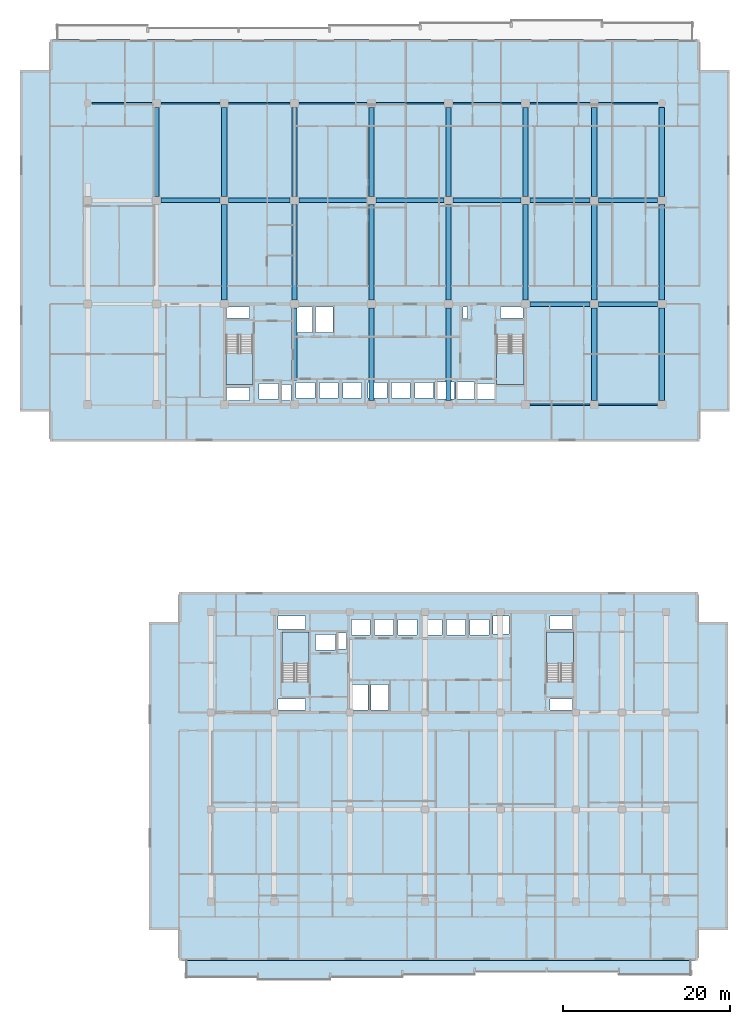
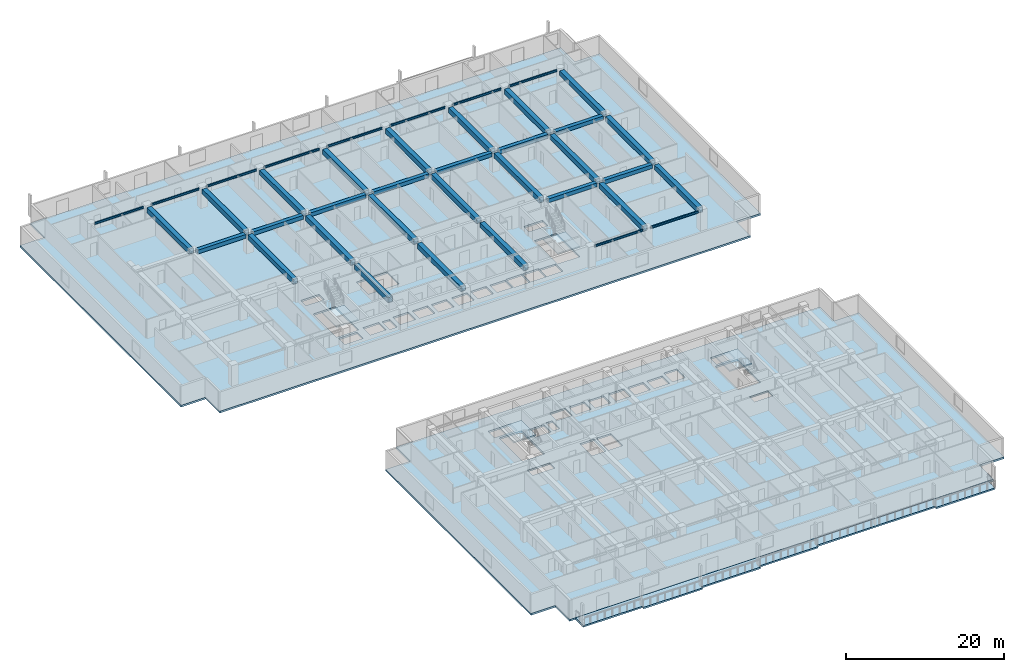
# One storey, part 2 of 23: 39 beams, 7 slabs, 4 elements without a shape of their own.
"""IFC4 building model written with IfcOpenShell, lengths in metres."""

from ifc_helpers import new_model, si_unit, direction, frame, origin, origin_2d, place, context, subcontext, project, spatial, polyline, rectangle, i_section, outline, extrude, material, layer, layer_set, material_profile, profile_set, type_object, element, aggregate, save


model = new_model("IFC4")

# Units and contexts
model_context = context("Model", 3, precision=1e-05, world=origin(), true_north=direction((0.0, 1.0)))
body_context = subcontext(model_context, "Body", "Model", "MODEL_VIEW")
ifc_project = project(units=[si_unit("LENGTHUNIT", "METRE"), si_unit("AREAUNIT", "SQUARE_METRE"), si_unit("VOLUMEUNIT", "CUBIC_METRE"), si_unit("PLANEANGLEUNIT", "RADIAN"), si_unit("MASSUNIT", "GRAM", prefix="KILO")], contexts=[model_context])

# Site, building, storey
site_placement = place(None, origin())
site = spatial("IfcSite", under=ifc_project, at=site_placement, CompositionType="ELEMENT")
building_placement = place(site_placement, origin())
building = spatial("IfcBuilding", under=site, at=building_placement, Name="Korimba Cascade Residences", CompositionType="ELEMENT")
storey_placement = place(building_placement, frame((0.0, 0.0, 37.0)))
storey = spatial("IfcBuildingStorey", under=building, at=storey_placement, Name="L09", CompositionType="ELEMENT", Elevation=37.0)

# Beams
ifc_material_1 = material(Name="Concrete C50/60", Category="concrete")
ifc_material_profile_1 = material_profile(ifc_material_1, rectangle(XDim=0.550048828125, YDim=0.60009765625, at=origin_2d()), Name="Concrete C50/60")
ifc_profile_set_1 = profile_set([ifc_material_profile_1], Name="Concrete C50/60")
beam_type_1 = type_object("IfcBeamType", Name="BM-RC-B600", PredefinedType="BEAM", material=ifc_profile_set_1)
beam_1_placement = place(storey_placement, frame((112.625, 67.199951171875, 2.669921875), z_axis=(1.0, 0.0, 0.0), x_axis=(0.0, 1.0, 0.0)))
element("IfcBeam", 1, at=beam_1_placement, inside=storey, type_object=beam_type_1, Name="L09 T1 E-W Girder Y2 Bay 7", PredefinedType="BEAM", context=body_context, shape_type="SweptSolid", body=[
    extrude(rectangle(XDim=0.550048828125, YDim=0.60009765625, at=origin_2d()), origin(), (0.0, 0.0, 1.0), 7.14990234375),
])
for number, where, z_axis, x_axis, name in (
    (2, (120.824951171875, 67.199951171875, 2.669921875), (1.0, 0.0, 0.0), (0.0, 1.0, 0.0), "L09 T1 E-W Girder Y2 Bay 8"),
    (3, (68.52490234375, 79.60009765625, 2.669921875), (1.0, 0.0, 0.0), (0.0, 1.0, 0.0), "L09 T1 E-W Girder Y3 Bay 2"),
):
    element("IfcBeam", number, at=place(storey_placement, frame(where, z_axis=z_axis, x_axis=x_axis)), inside=storey, type_object=beam_type_1, Name=name, PredefinedType="BEAM", context=body_context, shape_type="SweptSolid", body=[
        extrude(rectangle(XDim=0.550048828125, YDim=0.60009765625, at=origin_2d()), origin(), (0.0, 0.0, 1.0), 7.050048828125),
    ])
beam_2_placement = place(storey_placement, frame((76.625, 79.60009765625, 2.669921875), z_axis=(1.0, 0.0, 0.0), x_axis=(0.0, 1.0, 0.0)))
element("IfcBeam", 4, at=beam_2_placement, inside=storey, type_object=beam_type_1, Name="L09 T1 E-W Girder Y3 Bay 3", PredefinedType="BEAM", context=body_context, shape_type="SweptSolid", body=[
    extrude(rectangle(XDim=0.550048828125, YDim=0.60009765625, at=origin_2d()), origin(), (0.0, 0.0, 1.0), 7.35009765625),
])
beam_3_placement = place(storey_placement, frame((85.02490234375, 79.60009765625, 2.669921875), z_axis=(1.0, 0.0, 0.0), x_axis=(0.0, 1.0, 0.0)))
element("IfcBeam", 5, at=beam_3_placement, inside=storey, type_object=beam_type_1, Name="L09 T1 E-W Girder Y3 Bay 4", PredefinedType="BEAM", context=body_context, shape_type="SweptSolid", body=[
    extrude(rectangle(XDim=0.550048828125, YDim=0.60009765625, at=origin_2d()), origin(), (0.0, 0.0, 1.0), 8.150146484375),
])
for number, where, z_axis, x_axis, name in (
    (6, (94.22509765625, 79.60009765625, 2.669921875), (1.0, 0.0, 0.0), (0.0, 1.0, 0.0), "L09 T1 E-W Girder Y3 Bay 5"),
    (7, (103.425048828125, 79.60009765625, 2.669921875), (1.0, 0.0, 0.0), (0.0, 1.0, 0.0), "L09 T1 E-W Girder Y3 Bay 6"),
):
    element("IfcBeam", number, at=place(storey_placement, frame(where, z_axis=z_axis, x_axis=x_axis)), inside=storey, type_object=beam_type_1, Name=name, PredefinedType="BEAM", context=body_context, shape_type="SweptSolid", body=[
        extrude(rectangle(XDim=0.550048828125, YDim=0.60009765625, at=origin_2d()), origin(), (0.0, 0.0, 1.0), 8.14990234375),
    ])
beam_4_placement = place(storey_placement, frame((112.625, 79.60009765625, 2.669921875), z_axis=(1.0, 0.0, 0.0), x_axis=(0.0, 1.0, 0.0)))
element("IfcBeam", 8, at=beam_4_placement, inside=storey, type_object=beam_type_1, Name="L09 T1 E-W Girder Y3 Bay 7", PredefinedType="BEAM", context=body_context, shape_type="SweptSolid", body=[
    extrude(rectangle(XDim=0.550048828125, YDim=0.60009765625, at=origin_2d()), origin(), (0.0, 0.0, 1.0), 7.14990234375),
])
beam_5_placement = place(storey_placement, frame((120.824951171875, 79.60009765625, 2.669921875), z_axis=(1.0, 0.0, 0.0), x_axis=(0.0, 1.0, 0.0)))
element("IfcBeam", 9, at=beam_5_placement, inside=storey, type_object=beam_type_1, Name="L09 T1 E-W Girder Y3 Bay 8", PredefinedType="BEAM", context=body_context, shape_type="SweptSolid", body=[
    extrude(rectangle(XDim=0.550048828125, YDim=0.60009765625, at=origin_2d()), origin(), (0.0, 0.0, 1.0), 7.050048828125),
])
ifc_material_profile_2 = material_profile(ifc_material_1, rectangle(XDim=0.64990234375, YDim=0.75, at=origin_2d()), Name="Concrete C50/60")
ifc_profile_set_2 = profile_set([ifc_material_profile_2], Name="Concrete C50/60")
beam_type_2 = type_object("IfcBeamType", Name="BM-RC-G750", PredefinedType="BEAM", material=ifc_profile_set_2)
beam_6_placement = place(storey_placement, frame((68.0, 80.074951171875, 2.594970703125), z_axis=(0.0, 1.0, 0.0), x_axis=(-1.0, 0.0, 0.0)))
element("IfcBeam", 10, at=beam_6_placement, inside=storey, type_object=beam_type_2, Name="L09 T1 N-S Girder X2 Seg 3", PredefinedType="BEAM", context=body_context, shape_type="SweptSolid", body=[
    extrude(rectangle(XDim=0.64990234375, YDim=0.75, at=origin_2d()), origin(), (0.0, 0.0, 1.0), 10.650146484375),
])
beam_7_placement = place(storey_placement, frame((76.10009765625, 67.675048828125, 2.594970703125), z_axis=(0.0, 1.0, 0.0), x_axis=(-1.0, 0.0, 0.0)))
element("IfcBeam", 11, at=beam_7_placement, inside=storey, type_object=beam_type_2, Name="L09 T1 N-S Girder X3 Seg 2", PredefinedType="BEAM", context=body_context, shape_type="SweptSolid", body=[
    extrude(rectangle(XDim=0.64990234375, YDim=0.75, at=origin_2d()), origin(), (0.0, 0.0, 1.0), 11.449951171875),
])
beam_8_placement = place(storey_placement, frame((76.10009765625, 80.074951171875, 2.594970703125), z_axis=(0.0, 1.0, 0.0), x_axis=(-1.0, 0.0, 0.0)))
element("IfcBeam", 12, at=beam_8_placement, inside=storey, type_object=beam_type_2, Name="L09 T1 N-S Girder X3 Seg 3", PredefinedType="BEAM", context=body_context, shape_type="SweptSolid", body=[
    extrude(rectangle(XDim=0.64990234375, YDim=0.75, at=origin_2d()), origin(), (0.0, 0.0, 1.0), 10.650146484375),
])
beam_9_placement = place(storey_placement, frame((84.5, 58.159912109375, 2.594970703125), z_axis=(0.0, 1.0, 0.0), x_axis=(-1.0, 0.0, 0.0)))
element("IfcBeam", 13, at=beam_9_placement, inside=storey, type_object=beam_type_2, Name="L09 T1 N-S Girder X4 Seg 1", PredefinedType="BEAM", context=body_context, shape_type="SweptSolid", body=[
    extrude(rectangle(XDim=0.64990234375, YDim=0.75, at=origin_2d()), origin(), (0.0, 0.0, 1.0), 8.565185546875),
])
beam_10_placement = place(storey_placement, frame((84.5, 67.675048828125, 2.594970703125), z_axis=(0.0, 1.0, 0.0), x_axis=(-1.0, 0.0, 0.0)))
element("IfcBeam", 14, at=beam_10_placement, inside=storey, type_object=beam_type_2, Name="L09 T1 N-S Girder X4 Seg 2", PredefinedType="BEAM", context=body_context, shape_type="SweptSolid", body=[
    extrude(rectangle(XDim=0.64990234375, YDim=0.75, at=origin_2d()), origin(), (0.0, 0.0, 1.0), 11.449951171875),
])
beam_11_placement = place(storey_placement, frame((84.5, 80.074951171875, 2.594970703125), z_axis=(0.0, 1.0, 0.0), x_axis=(-1.0, 0.0, 0.0)))
element("IfcBeam", 15, at=beam_11_placement, inside=storey, type_object=beam_type_2, Name="L09 T1 N-S Girder X4 Seg 3", PredefinedType="BEAM", context=body_context, shape_type="SweptSolid", body=[
    extrude(rectangle(XDim=0.64990234375, YDim=0.75, at=origin_2d()), origin(), (0.0, 0.0, 1.0), 10.650146484375),
])
beam_12_placement = place(storey_placement, frame((93.699951171875, 55.675048828125, 2.594970703125), z_axis=(0.0, 1.0, 0.0), x_axis=(-1.0, 0.0, 0.0)))
element("IfcBeam", 16, at=beam_12_placement, inside=storey, type_object=beam_type_2, Name="L09 T1 N-S Girder X5 Seg 1", PredefinedType="BEAM", context=body_context, shape_type="SweptSolid", body=[
    extrude(rectangle(XDim=0.64990234375, YDim=0.75, at=origin_2d()), origin(), (0.0, 0.0, 1.0), 11.050048828125),
])
beam_13_placement = place(storey_placement, frame((93.699951171875, 67.675048828125, 2.594970703125), z_axis=(0.0, 1.0, 0.0), x_axis=(-1.0, 0.0, 0.0)))
element("IfcBeam", 17, at=beam_13_placement, inside=storey, type_object=beam_type_2, Name="L09 T1 N-S Girder X5 Seg 2", PredefinedType="BEAM", context=body_context, shape_type="SweptSolid", body=[
    extrude(rectangle(XDim=0.64990234375, YDim=0.75, at=origin_2d()), origin(), (0.0, 0.0, 1.0), 11.449951171875),
])
beam_14_placement = place(storey_placement, frame((93.699951171875, 80.074951171875, 2.594970703125), z_axis=(0.0, 1.0, 0.0), x_axis=(-1.0, 0.0, 0.0)))
element("IfcBeam", 18, at=beam_14_placement, inside=storey, type_object=beam_type_2, Name="L09 T1 N-S Girder X5 Seg 3", PredefinedType="BEAM", context=body_context, shape_type="SweptSolid", body=[
    extrude(rectangle(XDim=0.64990234375, YDim=0.75, at=origin_2d()), origin(), (0.0, 0.0, 1.0), 10.650146484375),
])
beam_15_placement = place(storey_placement, frame((102.89990234375, 55.675048828125, 2.594970703125), z_axis=(0.0, 1.0, 0.0), x_axis=(-1.0, 0.0, 0.0)))
element("IfcBeam", 19, at=beam_15_placement, inside=storey, type_object=beam_type_2, Name="L09 T1 N-S Girder X6 Seg 1", PredefinedType="BEAM", context=body_context, shape_type="SweptSolid", body=[
    extrude(rectangle(XDim=0.64990234375, YDim=0.75, at=origin_2d()), origin(), (0.0, 0.0, 1.0), 11.050048828125),
])
beam_16_placement = place(storey_placement, frame((102.89990234375, 67.675048828125, 2.594970703125), z_axis=(0.0, 1.0, 0.0), x_axis=(-1.0, 0.0, 0.0)))
element("IfcBeam", 20, at=beam_16_placement, inside=storey, type_object=beam_type_2, Name="L09 T1 N-S Girder X6 Seg 2", PredefinedType="BEAM", context=body_context, shape_type="SweptSolid", body=[
    extrude(rectangle(XDim=0.64990234375, YDim=0.75, at=origin_2d()), origin(), (0.0, 0.0, 1.0), 11.449951171875),
])
beam_17_placement = place(storey_placement, frame((102.89990234375, 80.074951171875, 2.594970703125), z_axis=(0.0, 1.0, 0.0), x_axis=(-1.0, 0.0, 0.0)))
element("IfcBeam", 21, at=beam_17_placement, inside=storey, type_object=beam_type_2, Name="L09 T1 N-S Girder X6 Seg 3", PredefinedType="BEAM", context=body_context, shape_type="SweptSolid", body=[
    extrude(rectangle(XDim=0.64990234375, YDim=0.75, at=origin_2d()), origin(), (0.0, 0.0, 1.0), 10.650146484375),
])
beam_18_placement = place(storey_placement, frame((112.10009765625, 67.675048828125, 2.594970703125), z_axis=(0.0, 1.0, 0.0), x_axis=(-1.0, 0.0, 0.0)))
element("IfcBeam", 22, at=beam_18_placement, inside=storey, type_object=beam_type_2, Name="L09 T1 N-S Girder X7 Seg 2", PredefinedType="BEAM", context=body_context, shape_type="SweptSolid", body=[
    extrude(rectangle(XDim=0.64990234375, YDim=0.75, at=origin_2d()), origin(), (0.0, 0.0, 1.0), 11.449951171875),
])
beam_19_placement = place(storey_placement, frame((112.10009765625, 80.074951171875, 2.594970703125), z_axis=(0.0, 1.0, 0.0), x_axis=(-1.0, 0.0, 0.0)))
element("IfcBeam", 23, at=beam_19_placement, inside=storey, type_object=beam_type_2, Name="L09 T1 N-S Girder X7 Seg 3", PredefinedType="BEAM", context=body_context, shape_type="SweptSolid", body=[
    extrude(rectangle(XDim=0.64990234375, YDim=0.75, at=origin_2d()), origin(), (0.0, 0.0, 1.0), 10.650146484375),
])
beam_20_placement = place(storey_placement, frame((120.300048828125, 55.675048828125, 2.594970703125), z_axis=(0.0, 1.0, 0.0), x_axis=(-1.0, 0.0, 0.0)))
element("IfcBeam", 24, at=beam_20_placement, inside=storey, type_object=beam_type_2, Name="L09 T1 N-S Girder X8 Seg 1", PredefinedType="BEAM", context=body_context, shape_type="SweptSolid", body=[
    extrude(rectangle(XDim=0.64990234375, YDim=0.75, at=origin_2d()), origin(), (0.0, 0.0, 1.0), 11.050048828125),
])
beam_21_placement = place(storey_placement, frame((120.300048828125, 67.675048828125, 2.594970703125), z_axis=(0.0, 1.0, 0.0), x_axis=(-1.0, 0.0, 0.0)))
element("IfcBeam", 25, at=beam_21_placement, inside=storey, type_object=beam_type_2, Name="L09 T1 N-S Girder X8 Seg 2", PredefinedType="BEAM", context=body_context, shape_type="SweptSolid", body=[
    extrude(rectangle(XDim=0.64990234375, YDim=0.75, at=origin_2d()), origin(), (0.0, 0.0, 1.0), 11.449951171875),
])
beam_22_placement = place(storey_placement, frame((120.300048828125, 80.074951171875, 2.594970703125), z_axis=(0.0, 1.0, 0.0), x_axis=(-1.0, 0.0, 0.0)))
element("IfcBeam", 26, at=beam_22_placement, inside=storey, type_object=beam_type_2, Name="L09 T1 N-S Girder X8 Seg 3", PredefinedType="BEAM", context=body_context, shape_type="SweptSolid", body=[
    extrude(rectangle(XDim=0.64990234375, YDim=0.75, at=origin_2d()), origin(), (0.0, 0.0, 1.0), 10.650146484375),
])
beam_23_placement = place(storey_placement, frame((128.39990234375, 55.675048828125, 2.594970703125), z_axis=(0.0, 1.0, 0.0), x_axis=(-1.0, 0.0, 0.0)))
element("IfcBeam", 27, at=beam_23_placement, inside=storey, type_object=beam_type_2, Name="L09 T1 N-S Girder X9 Seg 1", PredefinedType="BEAM", context=body_context, shape_type="SweptSolid", body=[
    extrude(rectangle(XDim=0.64990234375, YDim=0.75, at=origin_2d()), origin(), (0.0, 0.0, 1.0), 11.050048828125),
])
beam_24_placement = place(storey_placement, frame((128.39990234375, 67.675048828125, 2.594970703125), z_axis=(0.0, 1.0, 0.0), x_axis=(-1.0, 0.0, 0.0)))
element("IfcBeam", 28, at=beam_24_placement, inside=storey, type_object=beam_type_2, Name="L09 T1 N-S Girder X9 Seg 2", PredefinedType="BEAM", context=body_context, shape_type="SweptSolid", body=[
    extrude(rectangle(XDim=0.64990234375, YDim=0.75, at=origin_2d()), origin(), (0.0, 0.0, 1.0), 11.449951171875),
])
beam_25_placement = place(storey_placement, frame((128.39990234375, 80.074951171875, 2.594970703125), z_axis=(0.0, 1.0, 0.0), x_axis=(-1.0, 0.0, 0.0)))
element("IfcBeam", 29, at=beam_25_placement, inside=storey, type_object=beam_type_2, Name="L09 T1 N-S Girder X9 Seg 3", PredefinedType="BEAM", context=body_context, shape_type="SweptSolid", body=[
    extrude(rectangle(XDim=0.64990234375, YDim=0.75, at=origin_2d()), origin(), (0.0, 0.0, 1.0), 10.650146484375),
])
ifc_material_2 = material(Name="Steel S355", Category="steel")
ifc_material_profile_3 = material_profile(ifc_material_2, i_section(OverallWidth=0.165771484375, OverallDepth=0.306640625, WebThickness=0.006591796875, FlangeThickness=0.01171875, FilletRadius=0.0087890625, at=origin_2d()), Name="Steel S355")
ifc_profile_set_3 = profile_set([ifc_material_profile_3], Name="Steel S355")
beam_type_3 = type_object("IfcBeamType", Name="BM-STL-UB305", PredefinedType="SPANDREL", material=ifc_profile_set_3)
beam_26_placement = place(storey_placement, frame((112.625, 55.199951171875, 2.816650390625), z_axis=(1.0, 0.0, 0.0), x_axis=(0.0, 1.0, 0.0)))
element("IfcBeam", 30, at=beam_26_placement, inside=storey, type_object=beam_type_3, Name="L09 T1 E-W Girder Y1 Bay 7", PredefinedType="SPANDREL", context=body_context, shape_type="SweptSolid", body=[
    extrude(i_section(OverallWidth=0.165771484375, OverallDepth=0.306640625, WebThickness=0.006591796875, FlangeThickness=0.01171875, FilletRadius=0.0087890625, at=origin_2d()), origin(), (0.0, 0.0, 1.0), 7.14990234375),
])
beam_27_placement = place(storey_placement, frame((120.824951171875, 55.199951171875, 2.816650390625), z_axis=(1.0, 0.0, 0.0), x_axis=(0.0, 1.0, 0.0)))
element("IfcBeam", 31, at=beam_27_placement, inside=storey, type_object=beam_type_3, Name="L09 T1 E-W Girder Y1 Bay 8", PredefinedType="SPANDREL", context=body_context, shape_type="SweptSolid", body=[
    extrude(i_section(OverallWidth=0.165771484375, OverallDepth=0.306640625, WebThickness=0.006591796875, FlangeThickness=0.01171875, FilletRadius=0.0087890625, at=origin_2d()), origin(), (0.0, 0.0, 1.0), 7.050048828125),
])
beam_28_placement = place(storey_placement, frame((60.27490234375, 91.199951171875, 2.816650390625), z_axis=(1.0, 0.0, 0.0), x_axis=(0.0, 1.0, 0.0)))
element("IfcBeam", 32, at=beam_28_placement, inside=storey, type_object=beam_type_3, Name="L09 T1 E-W Girder Y4 Bay 1", PredefinedType="SPANDREL", context=body_context, shape_type="SweptSolid", body=[
    extrude(i_section(OverallWidth=0.165771484375, OverallDepth=0.306640625, WebThickness=0.006591796875, FlangeThickness=0.01171875, FilletRadius=0.0087890625, at=origin_2d()), origin(), (0.0, 0.0, 1.0), 7.2001953125),
])
beam_29_placement = place(storey_placement, frame((68.52490234375, 91.199951171875, 2.816650390625), z_axis=(1.0, 0.0, 0.0), x_axis=(0.0, 1.0, 0.0)))
element("IfcBeam", 33, at=beam_29_placement, inside=storey, type_object=beam_type_3, Name="L09 T1 E-W Girder Y4 Bay 2", PredefinedType="SPANDREL", context=body_context, shape_type="SweptSolid", body=[
    extrude(i_section(OverallWidth=0.165771484375, OverallDepth=0.306640625, WebThickness=0.006591796875, FlangeThickness=0.01171875, FilletRadius=0.0087890625, at=origin_2d()), origin(), (0.0, 0.0, 1.0), 7.050048828125),
])
beam_30_placement = place(storey_placement, frame((76.625, 91.199951171875, 2.816650390625), z_axis=(1.0, 0.0, 0.0), x_axis=(0.0, 1.0, 0.0)))
element("IfcBeam", 34, at=beam_30_placement, inside=storey, type_object=beam_type_3, Name="L09 T1 E-W Girder Y4 Bay 3", PredefinedType="SPANDREL", context=body_context, shape_type="SweptSolid", body=[
    extrude(i_section(OverallWidth=0.165771484375, OverallDepth=0.306640625, WebThickness=0.006591796875, FlangeThickness=0.01171875, FilletRadius=0.0087890625, at=origin_2d()), origin(), (0.0, 0.0, 1.0), 7.35009765625),
])
beam_31_placement = place(storey_placement, frame((85.02490234375, 91.199951171875, 2.816650390625), z_axis=(1.0, 0.0, 0.0), x_axis=(0.0, 1.0, 0.0)))
element("IfcBeam", 35, at=beam_31_placement, inside=storey, type_object=beam_type_3, Name="L09 T1 E-W Girder Y4 Bay 4", PredefinedType="SPANDREL", context=body_context, shape_type="SweptSolid", body=[
    extrude(i_section(OverallWidth=0.165771484375, OverallDepth=0.306640625, WebThickness=0.006591796875, FlangeThickness=0.01171875, FilletRadius=0.0087890625, at=origin_2d()), origin(), (0.0, 0.0, 1.0), 8.150146484375),
])
for number, where, z_axis, x_axis, name in (
    (36, (94.22509765625, 91.199951171875, 2.816650390625), (1.0, 0.0, 0.0), (0.0, 1.0, 0.0), "L09 T1 E-W Girder Y4 Bay 5"),
    (37, (103.425048828125, 91.199951171875, 2.816650390625), (1.0, 0.0, 0.0), (0.0, 1.0, 0.0), "L09 T1 E-W Girder Y4 Bay 6"),
):
    element("IfcBeam", number, at=place(storey_placement, frame(where, z_axis=z_axis, x_axis=x_axis)), inside=storey, type_object=beam_type_3, Name=name, PredefinedType="SPANDREL", context=body_context, shape_type="SweptSolid", body=[
        extrude(i_section(OverallWidth=0.165771484375, OverallDepth=0.306640625, WebThickness=0.006591796875, FlangeThickness=0.01171875, FilletRadius=0.0087890625, at=origin_2d()), origin(), (0.0, 0.0, 1.0), 8.14990234375),
    ])
beam_32_placement = place(storey_placement, frame((112.625, 91.199951171875, 2.816650390625), z_axis=(1.0, 0.0, 0.0), x_axis=(0.0, 1.0, 0.0)))
element("IfcBeam", 38, at=beam_32_placement, inside=storey, type_object=beam_type_3, Name="L09 T1 E-W Girder Y4 Bay 7", PredefinedType="SPANDREL", context=body_context, shape_type="SweptSolid", body=[
    extrude(i_section(OverallWidth=0.165771484375, OverallDepth=0.306640625, WebThickness=0.006591796875, FlangeThickness=0.01171875, FilletRadius=0.0087890625, at=origin_2d()), origin(), (0.0, 0.0, 1.0), 7.14990234375),
])
beam_33_placement = place(storey_placement, frame((120.824951171875, 91.199951171875, 2.816650390625), z_axis=(1.0, 0.0, 0.0), x_axis=(0.0, 1.0, 0.0)))
element("IfcBeam", 39, at=beam_33_placement, inside=storey, type_object=beam_type_3, Name="L09 T1 E-W Girder Y4 Bay 8", PredefinedType="SPANDREL", context=body_context, shape_type="SweptSolid", body=[
    extrude(i_section(OverallWidth=0.165771484375, OverallDepth=0.306640625, WebThickness=0.006591796875, FlangeThickness=0.01171875, FilletRadius=0.0087890625, at=origin_2d()), origin(), (0.0, 0.0, 1.0), 7.10009765625),
])

# Stair, slab
stair_type_1 = type_object("IfcStairType", Name="STR-W1-18R-1806", PredefinedType="HALF_TURN_STAIR", material=ifc_material_1)
stair_1_placement = place(storey_placement, origin())
stair_1 = element("IfcStair", 40, at=stair_1_placement, inside=storey, type_object=stair_type_1, Name="L09 Tower 1 West Fire Stair ST-W1", PredefinedType="HALF_TURN_STAIR")
ifc_layer_1 = layer(ifc_material_1, 0.199951171875)
ifc_layer_set_1 = layer_set([ifc_layer_1], Name="Concrete C50/60")
slab_type_1 = type_object("IfcSlabType", Name="SLB-LND-220", PredefinedType="LANDING", material=ifc_layer_set_1)
slab_1_placement = place(storey_placement, frame((0.0, 0.0, 1.425048828125)))
slab_1 = element("IfcSlab", 41, at=slab_1_placement, type_object=slab_type_1, Name="ST-W1 landing 1", PredefinedType="LANDING", context=body_context, shape_type="SweptSolid", body=[
    extrude(outline(polyline([(76.300048828125, 61.31005859375), (76.300048828125, 57.60009765625), (79.5400390625, 57.60009765625), (79.5400390625, 61.31005859375), (76.300048828125, 61.31005859375)])), origin(), (0.0, 0.0, 1.0), 0.199951171875),
])
aggregate(stair_1, [slab_1])

stair_type_2 = type_object("IfcStairType", Name="STR-W2-18R-1806", PredefinedType="HALF_TURN_STAIR", material=ifc_material_1)
stair_2_placement = place(storey_placement, origin())
stair_2 = element("IfcStair", 42, at=stair_2_placement, inside=storey, type_object=stair_type_2, Name="L09 Tower 1 East Fire Stair ST-W2", PredefinedType="HALF_TURN_STAIR")
slab_2_placement = place(storey_placement, frame((0.0, 0.0, 1.425048828125)))
slab_2 = element("IfcSlab", 43, at=slab_2_placement, type_object=slab_type_1, Name="ST-W2 landing 1", PredefinedType="LANDING", context=body_context, shape_type="SweptSolid", body=[
    extrude(outline(polyline([(108.659912109375, 61.31005859375), (108.659912109375, 57.60009765625), (111.89990234375, 57.60009765625), (111.89990234375, 61.31005859375), (108.659912109375, 61.31005859375)])), origin(), (0.0, 0.0, 1.0), 0.199951171875),
])
aggregate(stair_2, [slab_2])

stair_type_3 = type_object("IfcStairType", Name="STR-E1-18R-1806", PredefinedType="HALF_TURN_STAIR", material=ifc_material_1)
stair_3_placement = place(storey_placement, origin())
stair_3 = element("IfcStair", 44, at=stair_3_placement, inside=storey, type_object=stair_type_3, Name="L09 Tower 2 West Fire Stair ST-E1", PredefinedType="HALF_TURN_STAIR")
slab_3_placement = place(storey_placement, frame((0.0, 0.0, 1.425048828125)))
slab_3 = element("IfcSlab", 45, at=slab_3_placement, type_object=slab_type_1, Name="ST-E1 landing 1", PredefinedType="LANDING", context=body_context, shape_type="SweptSolid", body=[
    extrude(outline(polyline([(86.239990234375, 24.2900390625), (86.239990234375, 28.0), (83.0, 28.0), (83.0, 24.2900390625), (86.239990234375, 24.2900390625)])), origin(), (0.0, 0.0, 1.0), 0.199951171875),
])
aggregate(stair_3, [slab_3])

stair_type_4 = type_object("IfcStairType", Name="STR-E2-18R-1806", PredefinedType="HALF_TURN_STAIR", material=ifc_material_1)
stair_4_placement = place(storey_placement, origin())
stair_4 = element("IfcStair", 46, at=stair_4_placement, inside=storey, type_object=stair_type_4, Name="L09 Tower 2 East Fire Stair ST-E2", PredefinedType="HALF_TURN_STAIR")
slab_4_placement = place(storey_placement, frame((0.0, 0.0, 1.425048828125)))
slab_4 = element("IfcSlab", 47, at=slab_4_placement, type_object=slab_type_1, Name="ST-E2 landing 1", PredefinedType="LANDING", context=body_context, shape_type="SweptSolid", body=[
    extrude(outline(polyline([(117.840087890625, 24.2900390625), (117.840087890625, 28.0), (114.60009765625, 28.0), (114.60009765625, 24.2900390625), (117.840087890625, 24.2900390625)])), origin(), (0.0, 0.0, 1.0), 0.199951171875),
])
aggregate(stair_4, [slab_4])

# Slabs
ifc_material_3 = material(Name="Precast concrete C40/50", Category="concrete")
ifc_layer_2 = layer(ifc_material_3, 0.239990234375)
ifc_layer_set_2 = layer_set([ifc_layer_2], Name="Precast concrete C40/50")
slab_type_2 = type_object("IfcSlabType", Name="SLB-LOG-240", PredefinedType="FLOOR", material=ifc_layer_set_2)
slab_5_placement = place(storey_placement, frame((0.0, 0.0, -0.239990234375)))
element("IfcSlab", 48, at=slab_5_placement, inside=storey, type_object=slab_type_2, Name="L09 Tower 2 South Loggia Slab", PredefinedType="FLOOR", context=body_context, shape_type="SweptSolid", body=[
    extrude(outline(polyline([(71.5, -13.25), (80.128662109375, -13.25), (80.128662109375, -13.550048828125), (88.757080078125, -13.550048828125), (88.757080078125, -13.25), (97.3857421875, -13.25), (97.3857421875, -12.949951171875), (106.014404296875, -12.949951171875), (106.014404296875, -12.64990234375), (123.271484375, -12.64990234375), (123.271484375, -12.949951171875), (131.89990234375, -12.949951171875), (131.89990234375, -11.199951171875), (71.5, -11.199951171875), (71.5, -13.25)])), origin(), (0.0, 0.0, 1.0), 0.239990234375),
])
ifc_layer_3 = layer(ifc_material_1, 0.280029296875)
ifc_layer_set_3 = layer_set([ifc_layer_3], Name="Concrete C50/60")
slab_type_3 = type_object("IfcSlabType", Name="SLB-TYP-280", PredefinedType="FLOOR", material=ifc_layer_set_3)
slab_6_placement = place(storey_placement, frame((0.0, 0.0, -0.280029296875)))
element("IfcSlab", 49, at=slab_6_placement, inside=storey, type_object=slab_type_3, Name="L09 Tower 1 Floor Slab", PredefinedType="FLOOR", context=body_context, shape_type="SweptSolid", body=[
    extrude(outline(polyline([(55.300048828125, 50.800048828125), (132.89990234375, 50.800048828125), (132.89990234375, 54.39990234375), (136.5, 54.39990234375), (136.5, 95.199951171875), (132.89990234375, 95.199951171875), (132.89990234375, 98.800048828125), (55.300048828125, 98.800048828125), (55.300048828125, 95.199951171875), (51.699951171875, 95.199951171875), (51.699951171875, 54.39990234375), (55.300048828125, 54.39990234375), (55.300048828125, 50.800048828125)]), holes=[polyline([(76.300048828125, 63.514892578125), (76.300048828125, 57.60009765625), (79.5400390625, 57.60009765625), (79.5400390625, 63.514892578125), (76.300048828125, 63.514892578125)]), polyline([(108.659912109375, 63.514892578125), (108.659912109375, 57.60009765625), (111.89990234375, 57.60009765625), (111.89990234375, 63.514892578125), (108.659912109375, 63.514892578125)]), polyline([(80.22998046875, 55.8798828125), (82.570068359375, 55.8798828125), (82.570068359375, 57.719970703125), (80.22998046875, 57.719970703125), (80.22998046875, 55.8798828125)]), polyline([(106.080078125, 55.8798828125), (108.419921875, 55.8798828125), (108.419921875, 57.719970703125), (106.080078125, 57.719970703125), (106.080078125, 55.8798828125)]), polyline([(84.679931640625, 55.97998046875), (86.919921875, 55.97998046875), (86.919921875, 57.820068359375), (84.679931640625, 57.820068359375), (84.679931640625, 55.97998046875)]), polyline([(87.47998046875, 55.97998046875), (89.719970703125, 55.97998046875), (89.719970703125, 57.820068359375), (87.47998046875, 57.820068359375), (87.47998046875, 55.97998046875)]), polyline([(90.280029296875, 55.97998046875), (92.52001953125, 55.97998046875), (92.52001953125, 57.820068359375), (90.280029296875, 57.820068359375), (90.280029296875, 55.97998046875)]), polyline([(93.280029296875, 55.97998046875), (95.52001953125, 55.97998046875), (95.52001953125, 57.820068359375), (93.280029296875, 57.820068359375), (93.280029296875, 55.97998046875)]), polyline([(96.080078125, 55.97998046875), (98.320068359375, 55.97998046875), (98.320068359375, 57.820068359375), (96.080078125, 57.820068359375), (96.080078125, 55.97998046875)]), polyline([(98.8798828125, 55.97998046875), (101.1201171875, 55.97998046875), (101.1201171875, 57.820068359375), (98.8798828125, 57.820068359375), (98.8798828125, 55.97998046875)]), polyline([(101.304931640625, 55.8798828125), (103.594970703125, 55.8798828125), (103.594970703125, 57.919921875), (101.304931640625, 57.919921875), (101.304931640625, 55.8798828125)]), polyline([(103.705078125, 55.8798828125), (105.9951171875, 55.8798828125), (105.9951171875, 57.919921875), (103.705078125, 57.919921875), (103.705078125, 55.8798828125)]), polyline([(82.97998046875, 55.679931640625), (84.080078125, 55.679931640625), (84.080078125, 57.6201171875), (82.97998046875, 57.6201171875), (82.97998046875, 55.679931640625)]), polyline([(76.39990234375, 65.56005859375), (79.10009765625, 65.56005859375), (79.10009765625, 66.8798828125), (76.39990234375, 66.8798828125), (76.39990234375, 65.56005859375)]), polyline([(76.39990234375, 55.679931640625), (79.10009765625, 55.679931640625), (79.10009765625, 57.239990234375), (76.39990234375, 57.239990234375), (76.39990234375, 55.679931640625)]), polyline([(84.530029296875, 63.820068359375), (86.6201171875, 63.820068359375), (86.6201171875, 66.8798828125), (84.530029296875, 66.8798828125), (84.530029296875, 63.820068359375)]), polyline([(86.97998046875, 63.820068359375), (89.070068359375, 63.820068359375), (89.070068359375, 66.8798828125), (86.97998046875, 66.8798828125), (86.97998046875, 63.820068359375)]), polyline([(104.6201171875, 65.4599609375), (105.179931640625, 65.4599609375), (105.179931640625, 66.8798828125), (104.6201171875, 66.8798828125), (104.6201171875, 65.4599609375)]), polyline([(109.080078125, 65.56005859375), (111.800048828125, 65.56005859375), (111.800048828125, 66.8798828125), (109.080078125, 66.8798828125), (109.080078125, 65.56005859375)])]), origin(), (0.0, 0.0, 1.0), 0.280029296875),
])
slab_7_placement = place(storey_placement, frame((0.0, 0.0, -0.280029296875)))
element("IfcSlab", 50, at=slab_7_placement, inside=storey, type_object=slab_type_3, Name="L09 Tower 2 Floor Slab", PredefinedType="FLOOR", context=body_context, shape_type="SweptSolid", body=[
    extrude(outline(polyline([(70.699951171875, -11.199951171875), (132.699951171875, -11.199951171875), (132.699951171875, -7.60009765625), (136.300048828125, -7.60009765625), (136.300048828125, 29.199951171875), (132.699951171875, 29.199951171875), (132.699951171875, 32.800048828125), (70.699951171875, 32.800048828125), (70.699951171875, 29.199951171875), (67.10009765625, 29.199951171875), (67.10009765625, -7.60009765625), (70.699951171875, -7.60009765625), (70.699951171875, -11.199951171875)]), holes=[polyline([(86.239990234375, 22.0849609375), (86.239990234375, 28.0), (83.0, 28.0), (83.0, 22.0849609375), (86.239990234375, 22.0849609375)]), polyline([(117.840087890625, 22.0849609375), (117.840087890625, 28.0), (114.60009765625, 28.0), (114.60009765625, 22.0849609375), (117.840087890625, 22.0849609375)]), polyline([(87.030029296875, 25.8798828125), (89.3701171875, 25.8798828125), (89.3701171875, 27.719970703125), (87.030029296875, 27.719970703125), (87.030029296875, 25.8798828125)]), polyline([(91.280029296875, 27.679931640625), (93.52001953125, 27.679931640625), (93.52001953125, 29.52001953125), (91.280029296875, 29.52001953125), (91.280029296875, 27.679931640625)]), polyline([(94.080078125, 27.679931640625), (96.320068359375, 27.679931640625), (96.320068359375, 29.52001953125), (94.080078125, 29.52001953125), (94.080078125, 27.679931640625)]), polyline([(96.8798828125, 27.679931640625), (99.1201171875, 27.679931640625), (99.1201171875, 29.52001953125), (96.8798828125, 29.52001953125), (96.8798828125, 27.679931640625)]), polyline([(99.8798828125, 27.679931640625), (102.1201171875, 27.679931640625), (102.1201171875, 29.52001953125), (99.8798828125, 29.52001953125), (99.8798828125, 27.679931640625)]), polyline([(102.679931640625, 27.679931640625), (104.919921875, 27.679931640625), (104.919921875, 29.52001953125), (102.679931640625, 29.52001953125), (102.679931640625, 27.679931640625)]), polyline([(105.47998046875, 27.679931640625), (107.719970703125, 27.679931640625), (107.719970703125, 29.52001953125), (105.47998046875, 29.52001953125), (105.47998046875, 27.679931640625)]), polyline([(89.780029296875, 25.97998046875), (90.719970703125, 25.97998046875), (90.719970703125, 27.919921875), (89.780029296875, 27.919921875), (89.780029296875, 25.97998046875)]), polyline([(82.530029296875, 18.72998046875), (85.800048828125, 18.72998046875), (85.800048828125, 20.0400390625), (82.530029296875, 20.0400390625), (82.530029296875, 18.72998046875)]), polyline([(82.530029296875, 28.360107421875), (85.800048828125, 28.360107421875), (85.800048828125, 29.969970703125), (82.530029296875, 29.969970703125), (82.530029296875, 28.360107421875)]), polyline([(108.22998046875, 27.780029296875), (110.1201171875, 27.780029296875), (110.1201171875, 29.969970703125), (108.22998046875, 29.969970703125), (108.22998046875, 27.780029296875)]), polyline([(91.22998046875, 18.72998046875), (93.27001953125, 18.72998046875), (93.27001953125, 21.780029296875), (91.22998046875, 21.780029296875), (91.22998046875, 18.72998046875)]), polyline([(93.6298828125, 18.72998046875), (95.719970703125, 18.72998046875), (95.719970703125, 21.780029296875), (93.6298828125, 21.780029296875), (93.6298828125, 18.72998046875)]), polyline([(115.02001953125, 18.72998046875), (117.739990234375, 18.72998046875), (117.739990234375, 20.0400390625), (115.02001953125, 20.0400390625), (115.02001953125, 18.72998046875)]), polyline([(115.02001953125, 28.360107421875), (117.739990234375, 28.360107421875), (117.739990234375, 29.969970703125), (115.02001953125, 29.969970703125), (115.02001953125, 28.360107421875)])]), origin(), (0.0, 0.0, 1.0), 0.280029296875),
])

save(model, "model.ifc")
